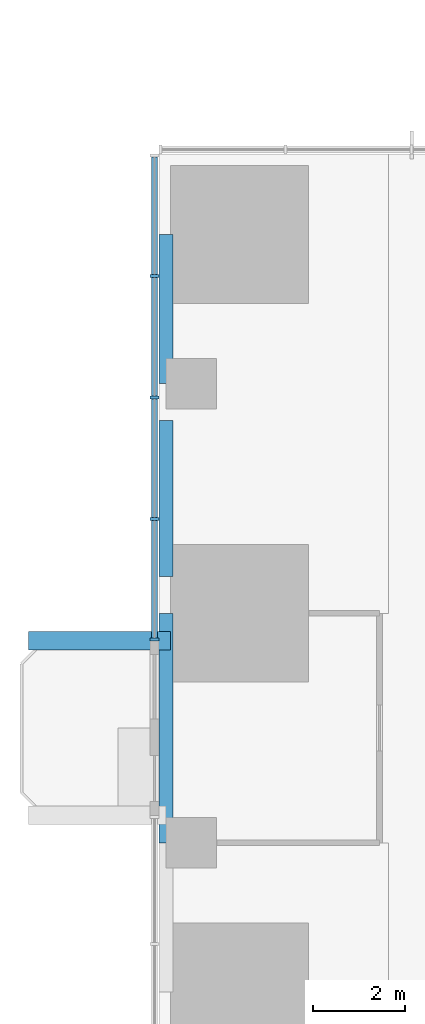
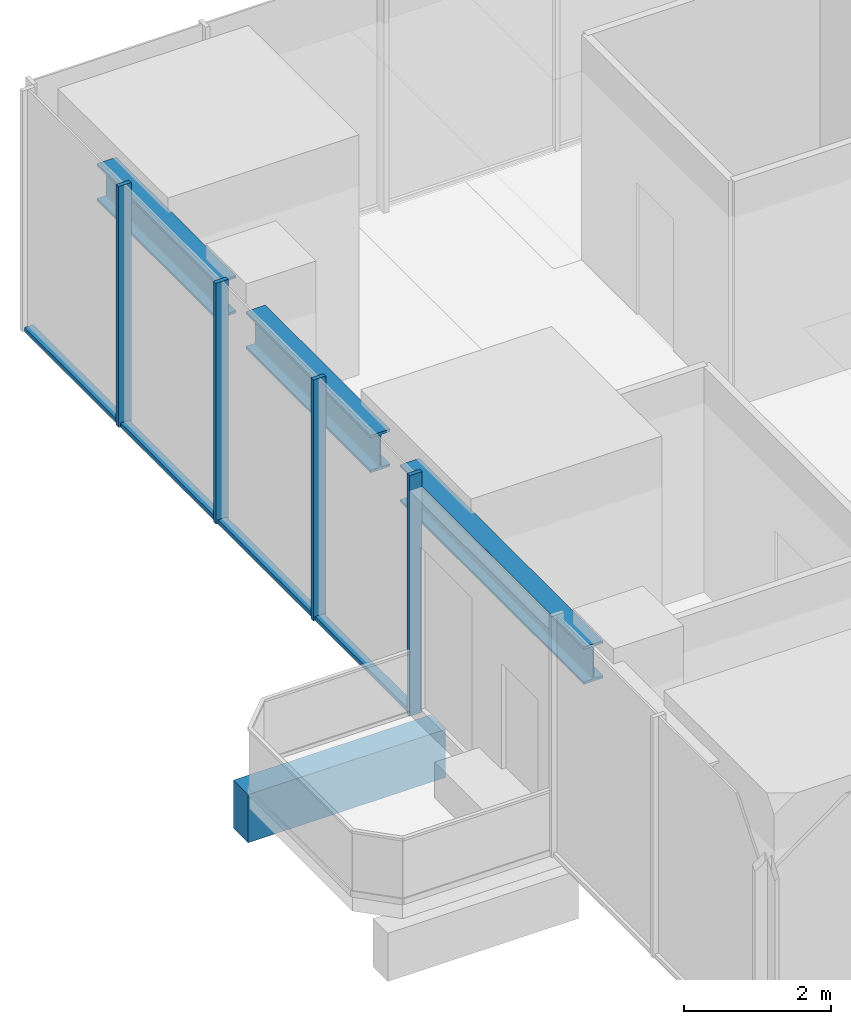
# One storey, part 3 of 13: 8 members, 4 beams, 1 element without a shape of its own.
"""IFC4 building model written with IfcOpenShell, lengths in metres."""

import ifcopenshell
import ifcopenshell.guid

model = None  # the IFC model being written
_history = None  # IfcOwnerHistory: only IFC2X3 demands one
_inside = {}  # id of a spatial element -> (the spatial element, [elements in it])
_under = {}  # id of a project, library or spatial element -> (it, [spatial elements below it])
_declared = {}  # id of a project -> (the project, [libraries it declares])
_typed = {}  # id of a type object -> (the type object, [elements of that type])
_made_of = {}  # id of a material, layer set ... -> (it, [elements and type objects made of it])


def new_model(schema):
    """Start an empty IFC model of exactly this schema.

    Asked for "IFC4X3", IfcOpenShell would pick the latest addendum, in which some entities
    have other attributes; the version numbers below select the first issue.
    IFC2X3 requires an IfcOwnerHistory on every rooted entity: one is made here for all.
    """
    global model, _history
    if schema == "IFC4X3":
        model = ifcopenshell.file(schema_version=(4, 3, 0, 0))
    else:
        model = ifcopenshell.file(schema=schema)
    _inside.clear()
    _under.clear()
    _declared.clear()
    _typed.clear()
    _made_of.clear()
    _history = None
    if model.schema == "IFC2X3":
        org = make("IfcOrganization", Name="unknown")
        user = make(
            "IfcPersonAndOrganization",
            ThePerson=make("IfcPerson", FamilyName="unknown"),
            TheOrganization=org,
        )
        app = make(
            "IfcApplication",
            ApplicationDeveloper=org,
            Version="unknown",
            ApplicationFullName="unknown",
            ApplicationIdentifier="unknown",
        )
        _history = make(
            "IfcOwnerHistory",
            OwningUser=user,
            OwningApplication=app,
            ChangeAction="ADDED",
            CreationDate=0,
        )
    return model


def make(cls, **values):
    """One entity of the class cls with the attributes given. An attribute that is None is left unset."""
    return model.create_entity(
        cls, **{name: value for name, value in values.items() if value is not None}
    )


def rooted(cls, **values):
    """An entity with a GlobalId (a new one), such as an element, a storey or a relation."""
    return make(cls, GlobalId=ifcopenshell.guid.new(), OwnerHistory=_history, **values)


def si_unit(unit_type, name, prefix=None):
    """IfcSIUnit, for example si_unit("LENGTHUNIT", "METRE", prefix="MILLI")."""
    return make("IfcSIUnit", UnitType=unit_type, Prefix=prefix, Name=name)


def assignment(units):
    """IfcUnitAssignment: the units of a project."""
    return None if units is None else make("IfcUnitAssignment", Units=units)


def point(xyz):
    """IfcCartesianPoint."""
    return None if xyz is None else make("IfcCartesianPoint", Coordinates=xyz)


def direction(xyz):
    """IfcDirection."""
    return None if xyz is None else make("IfcDirection", DirectionRatios=xyz)


def frame(location, z_axis=None, x_axis=None):
    """IfcAxis2Placement3D, a coordinate frame: its origin and axes. An axis left out is left unset."""
    return make(
        "IfcAxis2Placement3D",
        Location=point(location),
        Axis=direction(z_axis),
        RefDirection=direction(x_axis),
    )


def frame_2d(location, x_axis=None):
    """IfcAxis2Placement2D, a coordinate frame in the plane: its origin and x axis."""
    return make(
        "IfcAxis2Placement2D", Location=point(location), RefDirection=direction(x_axis)
    )


def origin():
    """The frame at (0, 0, 0) with its axes left unset."""
    return frame((0.0, 0.0, 0.0))


def origin_2d():
    """The frame at (0, 0) in the plane with its x axis left unset."""
    return frame_2d((0.0, 0.0))


def place(relative_to, where):
    """IfcLocalPlacement: puts the frame where relative to a parent placement (None: the world)."""
    return make(
        "IfcLocalPlacement", PlacementRelTo=relative_to, RelativePlacement=where
    )


def context(
    kind, dimensions, precision=None, world=None, true_north=None, identifier=None
):
    """IfcGeometricRepresentationContext, for example the 3D "Model" context."""
    return make(
        "IfcGeometricRepresentationContext",
        ContextIdentifier=identifier,
        ContextType=kind,
        CoordinateSpaceDimension=dimensions,
        Precision=precision,
        WorldCoordinateSystem=world,
        TrueNorth=true_north,
    )


def subcontext(parent, identifier, kind, view, scale=None):
    """IfcGeometricRepresentationSubContext, for example "Body" below "Model"."""
    return make(
        "IfcGeometricRepresentationSubContext",
        ContextIdentifier=identifier,
        ContextType=kind,
        ParentContext=parent,
        TargetScale=scale,
        TargetView=view,
    )


def project(units=None, contexts=None):
    """IfcProject with its units and contexts."""
    return rooted(
        "IfcProject",
        Name="project",
        RepresentationContexts=contexts,
        UnitsInContext=assignment(units),
    )


def spatial(cls, under=None, at=None, **own):
    """A site, building, storey or space (cls), placed at a placement, below another one or the project."""
    s = rooted(cls, ObjectPlacement=at, **own)
    if under is not None:
        _under.setdefault(under.id(), (under, []))[1].append(s)
    return s


def profile(cls, at=None, kind="AREA", **sizes):
    """A parametric profile (cls). Its sizes go by their IFC names, for example OverallWidth=200.0."""
    return make(cls, ProfileType=kind, Position=at, **sizes)


def rectangle(**sizes):
    """IfcRectangleProfileDef."""
    return profile("IfcRectangleProfileDef", **sizes)


def i_section(**sizes):
    """IfcIShapeProfileDef."""
    return profile("IfcIShapeProfileDef", **sizes)


def extrude(swept, where, along, depth):
    """IfcExtrudedAreaSolid: the profile swept, set in the frame where, extruded along a direction by depth."""
    return make(
        "IfcExtrudedAreaSolid",
        SweptArea=swept,
        Position=where,
        ExtrudedDirection=direction(along),
        Depth=depth,
    )


def shape(context_of_items, identifier, shape_type, items):
    """IfcShapeRepresentation: the items that make up one representation, for example the "Body"."""
    return make(
        "IfcShapeRepresentation",
        ContextOfItems=context_of_items,
        RepresentationIdentifier=identifier,
        RepresentationType=shape_type,
        Items=items,
    )


def material(Name=None, Category=None):
    """IfcMaterial."""
    return make("IfcMaterial", Name=Name, Category=Category)


def material_profile(
    of_material, cross_section, Name=None, Category=None, Priority=None
):
    """IfcMaterialProfile: a cross section and its material."""
    return make(
        "IfcMaterialProfile",
        Name=Name,
        Material=of_material,
        Profile=cross_section,
        Priority=Priority,
        Category=Category,
    )


def profile_set(profiles, Name=None, composite=None):
    """IfcMaterialProfileSet."""
    return make(
        "IfcMaterialProfileSet",
        Name=Name,
        MaterialProfiles=profiles,
        CompositeProfile=composite,
    )


def made_of(thing, what):
    """Note that an element or type object is made of a material, layer set ...; save() writes the relation."""
    if what is not None:
        _made_of.setdefault(what.id(), (what, []))[1].append(thing)
    return thing


def type_object(cls, material=None, **own):
    """A type object (cls), such as IfcWallType, which elements share."""
    return made_of(rooted(cls, **own), material)


def element(
    cls,
    number,
    at=None,
    inside=None,
    cuts=None,
    type_object=None,
    material=None,
    context=None,
    identifier="Body",
    shape_type=None,
    held_by="IfcProductDefinitionShape",
    body=None,
    shapes=None,
    **own,
):
    """One element of the class cls, such as IfcWall. Its Tag is "e" and its number.

    at: its placement. inside: the storey or other place that contains it. cuts: it is an
    opening in that element (IfcRelVoidsElement). A single representation is given by context,
    identifier, shape_type and body (its items); several are given by shapes. held_by: the class
    of the entity that holds the representations. save() writes the other relations.
    """
    e = rooted(cls, Tag="e%d" % number, ObjectPlacement=at, **own)
    if body is not None:
        shapes = [shape(context, identifier, shape_type, body)]
    if shapes is not None:
        e.Representation = make(held_by, Representations=shapes)
    if inside is not None:
        _inside.setdefault(inside.id(), (inside, []))[1].append(e)
    if cuts is not None:
        rooted(
            "IfcRelVoidsElement", RelatingBuildingElement=cuts, RelatedOpeningElement=e
        )
    if type_object is not None:
        _typed.setdefault(type_object.id(), (type_object, []))[1].append(e)
    return made_of(e, material)


def aggregate(whole, parts):
    """IfcRelAggregates: a whole, such as a stair, and the parts it consists of."""
    return rooted("IfcRelAggregates", RelatingObject=whole, RelatedObjects=parts)


def save(model, path):
    """Write the relations noted so far, then the file.

    IfcRelAggregates (storeys below a building ...), IfcRelContainedInSpatialStructure (elements
    in a storey), IfcRelDefinesByType, IfcRelAssociatesMaterial and IfcRelDeclares: one each for
    every whole, place, type object, material and project.
    """
    for whole, parts in _under.values():
        aggregate(whole, parts)
    for where, things in _inside.values():
        rooted(
            "IfcRelContainedInSpatialStructure",
            RelatedElements=things,
            RelatingStructure=where,
        )
    for kind, things in _typed.values():
        rooted("IfcRelDefinesByType", RelatedObjects=things, RelatingType=kind)
    for what, things in _made_of.values():
        rooted("IfcRelAssociatesMaterial", RelatedObjects=things, RelatingMaterial=what)
    for by, libraries in _declared.values():
        rooted("IfcRelDeclares", RelatingContext=by, RelatedDefinitions=libraries)
    model.write(path)


model = new_model("IFC4")

# Units and contexts
model_context = context("Model", 3, precision=1e-05, world=origin(), true_north=direction((0.0, 1.0)))
body_context = subcontext(model_context, "Body", "Model", "MODEL_VIEW")
ifc_project = project(units=[si_unit("LENGTHUNIT", "METRE"), si_unit("AREAUNIT", "SQUARE_METRE"), si_unit("VOLUMEUNIT", "CUBIC_METRE"), si_unit("PLANEANGLEUNIT", "RADIAN"), si_unit("MASSUNIT", "GRAM", prefix="KILO")], contexts=[model_context])

# Site, building, storey
site_placement = place(None, origin())
site = spatial("IfcSite", under=ifc_project, at=site_placement, CompositionType="ELEMENT")
building_placement = place(site_placement, origin())
building = spatial("IfcBuilding", under=site, at=building_placement, Name="Svetlomir Tower", CompositionType="ELEMENT")
storey_placement = place(building_placement, frame((0.0, 0.0, 144.5)))
storey = spatial("IfcBuildingStorey", under=building, at=storey_placement, Name="L34", CompositionType="ELEMENT", Elevation=144.5)

# Beam
ifc_material_1 = material(Name="Concrete C60/75", Category="concrete")
ifc_material_profile_1 = material_profile(ifc_material_1, rectangle(XDim=0.39990234375, YDim=0.800048828125, at=origin_2d()), Name="RC 400x800")
ifc_profile_set_1 = profile_set([ifc_material_profile_1], Name="Concrete C60/75")
beam_type_1 = type_object("IfcBeamType", Name="BALCONY RIB RC 400x800", PredefinedType="BEAM", material=ifc_profile_set_1)
beam_1_placement = place(storey_placement, frame((0.25, 20.39990234375, -0.64990234375), z_axis=(-1.0, 0.0, 0.0), x_axis=(0.0, -1.0, 0.0)))
element("IfcBeam", 1, at=beam_1_placement, inside=storey, type_object=beam_type_1, Name="Balcony rib W 2 L34", PredefinedType="BEAM", context=body_context, shape_type="SweptSolid", body=[
    extrude(rectangle(XDim=0.39990234375, YDim=0.800048828125, at=origin_2d()), origin(), (0.0, 0.0, 1.0), 3.10009765625),
])

# Curtain wall, members
ifc_material_2 = material(Name="Bronze anodised aluminium curtain wall", Category="aluminium")
curtain_wall_type = type_object("IfcCurtainWallType", Name="CURTAIN WALL CW1 TOWER OFFICE", PredefinedType="NOTDEFINED", material=ifc_material_2)
curtain_wall_placement = place(storey_placement, origin())
curtain_wall = element("IfcCurtainWall", 2, at=curtain_wall_placement, inside=storey, type_object=curtain_wall_type, Name="Curtain wall CW1 L34", PredefinedType="NOTDEFINED")
ifc_material_3 = material(Name="Bronze anodised aluminium", Category="aluminium")
ifc_material_profile_2 = material_profile(ifc_material_3, rectangle(XDim=0.06494140625, YDim=0.199951171875, at=origin_2d()), Name="AL 65x200")
ifc_profile_set_2 = profile_set([ifc_material_profile_2], Name="Bronze anodised aluminium 6063-T6")
member_type_1 = type_object("IfcMemberType", Name="CW1 MULLION 65x200", PredefinedType="MULLION", material=ifc_profile_set_2)
member_1_placement = place(storey_placement, frame((-0.10009765625, 28.35009765625, 0.0), z_axis=(0.0, 0.0, 1.0), x_axis=(0.0, -1.0, 0.0)))
member_1 = element("IfcMember", 3, at=member_1_placement, type_object=member_type_1, Name="CW1 mullion 2", PredefinedType="MULLION", context=body_context, shape_type="SweptSolid", body=[
    extrude(rectangle(XDim=0.06494140625, YDim=0.199951171875, at=origin_2d()), origin(), (0.0, 0.0, 1.0), 4.0),
])
member_2_placement = place(storey_placement, frame((-0.10009765625, 25.699951171875, 0.0), z_axis=(0.0, 0.0, 1.0), x_axis=(0.0, -1.0, 0.0)))
member_2 = element("IfcMember", 4, at=member_2_placement, type_object=member_type_1, Name="CW1 mullion 3", PredefinedType="MULLION", context=body_context, shape_type="SweptSolid", body=[
    extrude(rectangle(XDim=0.06494140625, YDim=0.199951171875, at=origin_2d()), origin(), (0.0, 0.0, 1.0), 4.0),
])
member_3_placement = place(storey_placement, frame((-0.10009765625, 23.050048828125, 0.0), z_axis=(0.0, 0.0, 1.0), x_axis=(0.0, -1.0, 0.0)))
member_3 = element("IfcMember", 5, at=member_3_placement, type_object=member_type_1, Name="CW1 mullion 4", PredefinedType="MULLION", context=body_context, shape_type="SweptSolid", body=[
    extrude(rectangle(XDim=0.06494140625, YDim=0.199951171875, at=origin_2d()), origin(), (0.0, 0.0, 1.0), 4.0),
])
member_4_placement = place(storey_placement, frame((-0.10009765625, 20.4326171875, 0.0), z_axis=(0.0, 0.0, 1.0), x_axis=(0.0, -1.0, 0.0)))
member_4 = element("IfcMember", 6, at=member_4_placement, type_object=member_type_1, Name="CW1 mullion 5", PredefinedType="MULLION", context=body_context, shape_type="SweptSolid", body=[
    extrude(rectangle(XDim=0.06494140625, YDim=0.199951171875, at=origin_2d()), origin(), (0.0, 0.0, 1.0), 4.0),
])
ifc_material_4 = material(Name="Bronze anodised aluminium", Category="aluminium")
ifc_material_profile_3 = material_profile(ifc_material_4, rectangle(XDim=0.139892578125, YDim=0.06494140625, at=origin_2d()), Name="AL 140x65")
ifc_profile_set_3 = profile_set([ifc_material_profile_3], Name="Bronze anodised aluminium 6063-T6")
member_type_2 = type_object("IfcMemberType", Name="CW1 TRANSOM 65x140", PredefinedType="USERDEFINED", material=ifc_profile_set_3)
member_5_placement = place(storey_placement, frame((-0.10009765625, 30.93505859375, 0.032470703125), z_axis=(0.0, -1.0, 0.0), x_axis=(1.0, 0.0, 0.0)))
member_5 = element("IfcMember", 7, at=member_5_placement, type_object=member_type_2, Name="CW1 transom 1.1", ObjectType="TRANSOM", PredefinedType="USERDEFINED", context=body_context, shape_type="SweptSolid", body=[
    extrude(rectangle(XDim=0.139892578125, YDim=0.06494140625, at=origin_2d()), origin(), (0.0, 0.0, 1.0), 2.552490234375),
])
member_6_placement = place(storey_placement, frame((-0.10009765625, 28.3173828125, 0.032470703125), z_axis=(0.0, -1.0, 0.0), x_axis=(1.0, 0.0, 0.0)))
member_6 = element("IfcMember", 8, at=member_6_placement, type_object=member_type_2, Name="CW1 transom 2.1", ObjectType="TRANSOM", PredefinedType="USERDEFINED", context=body_context, shape_type="SweptSolid", body=[
    extrude(rectangle(XDim=0.139892578125, YDim=0.06494140625, at=origin_2d()), origin(), (0.0, 0.0, 1.0), 2.5849609375),
])
member_7_placement = place(storey_placement, frame((-0.10009765625, 25.66748046875, 0.032470703125), z_axis=(0.0, -1.0, 0.0), x_axis=(1.0, 0.0, 0.0)))
member_7 = element("IfcMember", 9, at=member_7_placement, type_object=member_type_2, Name="CW1 transom 3.1", ObjectType="TRANSOM", PredefinedType="USERDEFINED", context=body_context, shape_type="SweptSolid", body=[
    extrude(rectangle(XDim=0.139892578125, YDim=0.06494140625, at=origin_2d()), origin(), (0.0, 0.0, 1.0), 2.5849609375),
])
member_8_placement = place(storey_placement, frame((-0.10009765625, 23.017578125, 0.032470703125), z_axis=(0.0, -1.0, 0.0), x_axis=(1.0, 0.0, 0.0)))
member_8 = element("IfcMember", 10, at=member_8_placement, type_object=member_type_2, Name="CW1 transom 4.1", ObjectType="TRANSOM", PredefinedType="USERDEFINED", context=body_context, shape_type="SweptSolid", body=[
    extrude(rectangle(XDim=0.139892578125, YDim=0.06494140625, at=origin_2d()), origin(), (0.0, 0.0, 1.0), 2.552490234375),
])
aggregate(curtain_wall, [member_1, member_2, member_3, member_4, member_5, member_6, member_7, member_8])

# Beams
ifc_material_5 = material(Name="Steel S355", Category="steel")
ifc_material_profile_4 = material_profile(ifc_material_5, i_section(OverallWidth=0.304931640625, OverallDepth=0.6201171875, WebThickness=0.02099609375, FlangeThickness=0.0400390625, FilletRadius=0.027099609375, at=origin_2d()), Name="HEM 600")
ifc_profile_set_4 = profile_set([ifc_material_profile_4], Name="Steel S355")
beam_type_2 = type_object("IfcBeamType", Name="EDGE BEAM HEM 600", PredefinedType="SPANDREL", material=ifc_profile_set_4)
beam_2_placement = place(storey_placement, frame((0.152587890625, 16.0, 3.43994140625), z_axis=(0.0, 1.0, 0.0), x_axis=(-1.0, 0.0, 0.0)))
element("IfcBeam", 11, at=beam_2_placement, inside=storey, type_object=beam_type_2, Name="Edge beam 0/16 to 0/21 under L35", PredefinedType="SPANDREL", context=body_context, shape_type="SweptSolid", body=[
    extrude(i_section(OverallWidth=0.304931640625, OverallDepth=0.6201171875, WebThickness=0.02099609375, FlangeThickness=0.0400390625, FilletRadius=0.027099609375, at=origin_2d()), origin(), (0.0, 0.0, 1.0), 5.0),
])
beam_3_placement = place(storey_placement, frame((0.152587890625, 21.800048828125, 3.43994140625), z_axis=(0.0, 1.0, 0.0), x_axis=(-1.0, 0.0, 0.0)))
element("IfcBeam", 12, at=beam_3_placement, inside=storey, type_object=beam_type_2, Name="Edge beam 0/21 to 0/26 under L35", PredefinedType="SPANDREL", context=body_context, shape_type="SweptSolid", body=[
    extrude(i_section(OverallWidth=0.304931640625, OverallDepth=0.6201171875, WebThickness=0.02099609375, FlangeThickness=0.0400390625, FilletRadius=0.027099609375, at=origin_2d()), origin(), (0.0, 0.0, 1.0), 3.39990234375),
])
beam_4_placement = place(storey_placement, frame((0.152587890625, 26.0, 3.43994140625), z_axis=(0.0, 1.0, 0.0), x_axis=(-1.0, 0.0, 0.0)))
element("IfcBeam", 13, at=beam_4_placement, inside=storey, type_object=beam_type_2, Name="Edge beam 0/26 to 0/31 under L35", PredefinedType="SPANDREL", context=body_context, shape_type="SweptSolid", body=[
    extrude(i_section(OverallWidth=0.304931640625, OverallDepth=0.6201171875, WebThickness=0.02099609375, FlangeThickness=0.0400390625, FilletRadius=0.027099609375, at=origin_2d()), origin(), (0.0, 0.0, 1.0), 3.25),
])

save(model, "model.ifc")
